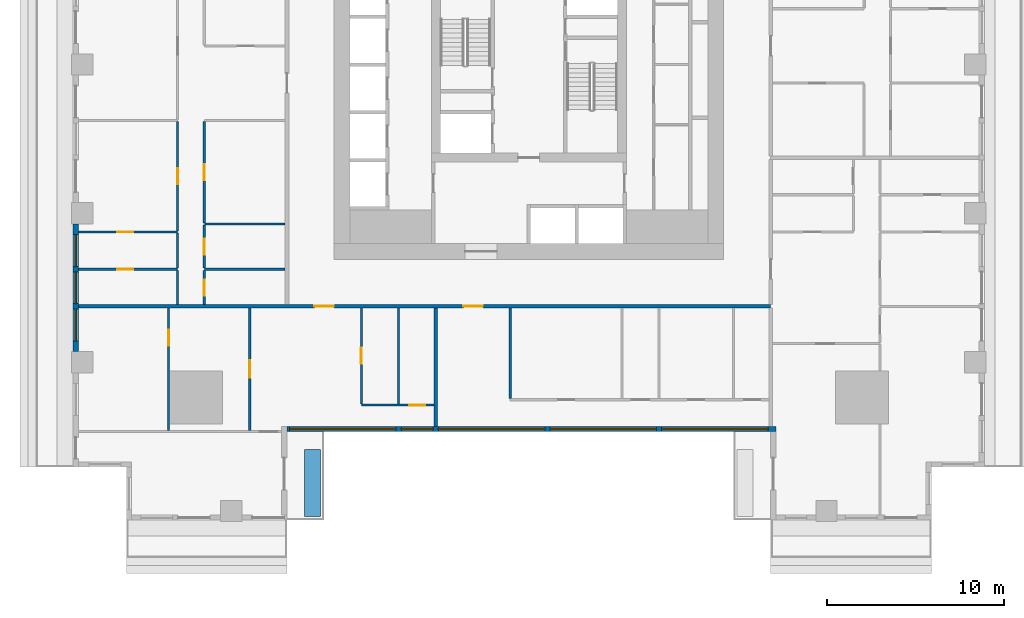
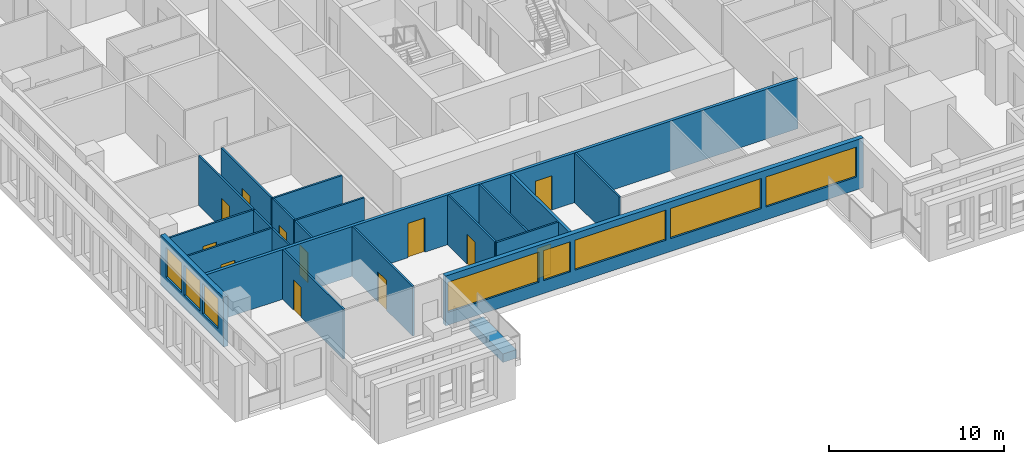
# One storey, part 2 of 14: 21 walls, 12 doors, 8 windows, 20 openings.
"""IFC4 building model written with IfcOpenShell, lengths in metres."""

from ifc_helpers import new_model, si_unit, direction, frame, frame_2d, origin, place, context, subcontext, project, spatial, rectangle, extrude, material, layer, layer_set, type_object, element, fill, save


model = new_model("IFC4")

# Units and contexts
model_context = context("Model", 3, precision=1e-05, world=origin(), true_north=direction((0.0, 1.0)))
body_context = subcontext(model_context, "Body", "Model", "MODEL_VIEW")
ifc_project = project(units=[si_unit("LENGTHUNIT", "METRE"), si_unit("AREAUNIT", "SQUARE_METRE"), si_unit("VOLUMEUNIT", "CUBIC_METRE"), si_unit("PLANEANGLEUNIT", "RADIAN"), si_unit("MASSUNIT", "GRAM", prefix="KILO")], contexts=[model_context])

# Site, building, storey
site_placement = place(None, origin())
site = spatial("IfcSite", under=ifc_project, at=site_placement, CompositionType="ELEMENT")
building_placement = place(site_placement, origin())
building = spatial("IfcBuilding", under=site, at=building_placement, Name="Khepri Terraces", CompositionType="ELEMENT")
storey_placement = place(building_placement, frame((0.0, 0.0, 66.0)))
storey = spatial("IfcBuildingStorey", under=building, at=storey_placement, Name="L15", CompositionType="ELEMENT", Elevation=66.0)

# Wall
ifc_material_1 = material(Name="Fire-rated gypsum plasterboard partition, mineral wool")
ifc_layer_1 = layer(ifc_material_1, 0.199951171875, Name="Fire-rated gypsum plasterboard partition, mineral wool")
ifc_layer_set_1 = layer_set([ifc_layer_1], Name="Fire-rated gypsum plasterboard partition, mineral wool")
wall_type_1 = type_object("IfcWallType", Name="WL-CORR-200", PredefinedType="PARTITIONING", material=ifc_layer_set_1)
wall_1_placement = place(storey_placement, frame((-5.25, -20.419921875, 0.0), z_axis=(0.0, 0.0, 1.0), x_axis=(0.0, 1.0, 0.0)))
element("IfcWall", 1, at=wall_1_placement, inside=storey, type_object=wall_type_1, Name="Partition P-003 L15", PredefinedType="PARTITIONING", context=body_context, shape_type="SweptSolid", body=[
    extrude(rectangle(XDim=6.669921875, YDim=0.199951171875, at=frame_2d((3.3349609375, 0.0))), origin(), (0.0, 0.0, 1.0), 3.47998046875),
])

# Wall, openings, doors
wall_2_placement = place(storey_placement, frame((-25.419921875, -13.64990234375, 0.0), z_axis=(0.0, 0.0, 1.0), x_axis=(1.0, 0.0, 0.0)))
wall_2 = element("IfcWall", 2, at=wall_2_placement, inside=storey, type_object=wall_type_1, Name="Partition P-018 L15", PredefinedType="PARTITIONING", context=body_context, shape_type="SweptSolid", body=[
    extrude(rectangle(XDim=39.06982421875, YDim=0.199951171875, at=frame_2d((19.534912109375, 0.0))), origin(), (0.0, 0.0, 1.0), 3.47998046875),
])
opening_1_placement = place(wall_2_placement, frame((13.320068359375, 0.0, 0.0)))
opening_1 = element("IfcOpeningElement", 3, at=opening_1_placement, cuts=wall_2, Name="Opening D1", PredefinedType="OPENING", context=body_context, shape_type="SweptSolid", body=[
    extrude(rectangle(XDim=1.10009765625, YDim=2.39990234375, at=frame_2d((0.550048828125, 1.199951171875))), frame((0.0, 0.10986328125, 0.0), z_axis=(0.0, -1.0, 0.0), x_axis=(1.0, 0.0, 0.0)), (0.0, 0.0, 1.0), 0.219970703125),
])
opening_2_placement = place(wall_2_placement, frame((21.719970703125, 0.0, 0.0)))
opening_2 = element("IfcOpeningElement", 4, at=opening_2_placement, cuts=wall_2, Name="Opening D1", PredefinedType="OPENING", context=body_context, shape_type="SweptSolid", body=[
    extrude(rectangle(XDim=1.10009765625, YDim=2.39990234375, at=frame_2d((0.550048828125, 1.199951171875))), frame((0.0, 0.10986328125, 0.0), z_axis=(0.0, -1.0, 0.0), x_axis=(1.0, 0.0, 0.0)), (0.0, 0.0, 1.0), 0.219970703125),
])
ifc_material_2 = material(Name="Solid-core timber door leaf, flat entrance door", Category="wood")
door_type_1 = type_object("IfcDoorType", Name="DR-ENT-1100", OperationType="NOTDEFINED", PredefinedType="DOOR", material=ifc_material_2)
door_1_placement = place(opening_1_placement, frame((1.10009765625, 0.0, 0.0), z_axis=(0.0, 0.0, 1.0), x_axis=(-1.0, 0.0, 0.0)))
door_1 = element("IfcDoor", 5, at=door_1_placement, inside=storey, type_object=door_type_1, Name="Flat A1 entrance door", OperationType="SINGLE_SWING_RIGHT", OverallHeight=2.39990234375, OverallWidth=1.10009765625, PredefinedType="DOOR", context=body_context, shape_type="SweptSolid", body=[
    extrude(rectangle(XDim=1.10009765625, YDim=2.39990234375, at=frame_2d((0.550048828125, 1.199951171875))), frame((0.0, 0.02490234375, 0.0), z_axis=(0.0, -1.0, 0.0), x_axis=(1.0, 0.0, 0.0)), (0.0, 0.0, 1.0), 0.050048828125),
])
fill(opening_1, door_1)
door_2_placement = place(opening_2_placement, frame((1.10009765625, 0.0, 0.0), z_axis=(0.0, 0.0, 1.0), x_axis=(-1.0, 0.0, 0.0)))
door_2 = element("IfcDoor", 6, at=door_2_placement, inside=storey, type_object=door_type_1, Name="Flat A2 entrance door", OperationType="SINGLE_SWING_LEFT", OverallHeight=2.39990234375, OverallWidth=1.10009765625, PredefinedType="DOOR", context=body_context, shape_type="SweptSolid", body=[
    extrude(rectangle(XDim=1.10009765625, YDim=2.39990234375, at=frame_2d((0.550048828125, 1.199951171875))), frame((0.0, 0.02490234375, 0.0), z_axis=(0.0, -1.0, 0.0), x_axis=(1.0, 0.0, 0.0)), (0.0, 0.0, 1.0), 0.050048828125),
])
fill(opening_2, door_2)

# Wall, openings, windows
ifc_material_3 = material(Name="Precast concrete C50/60 warm stone", Category="masonry")
ifc_layer_2 = layer(ifc_material_3, 0.300048828125, Name="Precast concrete C50/60 warm stone", Category="masonry")
ifc_layer_set_2 = layer_set([ifc_layer_2], Name="Precast concrete C50/60 warm stone")
wall_type_2 = type_object("IfcWallType", Name="WL-EXT-PRECAST-300", PredefinedType="STANDARD", material=ifc_layer_set_2)
wall_3_placement = place(storey_placement, frame((-25.570068359375, -9.0, 0.0), z_axis=(0.0, 0.0, 1.0), x_axis=(0.0, -1.0, 0.0)))
wall_3 = element("IfcWall", 7, at=wall_3_placement, inside=storey, type_object=wall_type_2, Name="External wall L15 W", PredefinedType="STANDARD", context=body_context, shape_type="SweptSolid", body=[
    extrude(rectangle(XDim=7.199951171875, YDim=0.300048828125, at=frame_2d((3.60009765625, 0.0))), origin(), (0.0, 0.0, 1.0), 3.47998046875),
])
opening_3_placement = place(wall_3_placement, frame((0.60009765625, 0.0, 0.89990234375)))
opening_3 = element("IfcOpeningElement", 8, at=opening_3_placement, cuts=wall_3, Name="Opening W1", PredefinedType="OPENING", context=body_context, shape_type="SweptSolid", body=[
    extrude(rectangle(XDim=1.800048828125, YDim=2.10009765625, at=frame_2d((0.89990234375, 1.050048828125))), frame((0.0, 0.16015625, 0.0), z_axis=(0.0, -1.0, 0.0), x_axis=(1.0, 0.0, 0.0)), (0.0, 0.0, 1.0), 0.320068359375),
])
opening_4_placement = place(wall_3_placement, frame((2.699951171875, 0.0, 0.89990234375)))
opening_4 = element("IfcOpeningElement", 9, at=opening_4_placement, cuts=wall_3, Name="Opening W1", PredefinedType="OPENING", context=body_context, shape_type="SweptSolid", body=[
    extrude(rectangle(XDim=1.800048828125, YDim=2.10009765625, at=frame_2d((0.89990234375, 1.050048828125))), frame((0.0, 0.16015625, 0.0), z_axis=(0.0, -1.0, 0.0), x_axis=(1.0, 0.0, 0.0)), (0.0, 0.0, 1.0), 0.320068359375),
])
opening_5_placement = place(wall_3_placement, frame((4.800048828125, 0.0, 0.89990234375)))
opening_5 = element("IfcOpeningElement", 10, at=opening_5_placement, cuts=wall_3, Name="Opening W1", PredefinedType="OPENING", context=body_context, shape_type="SweptSolid", body=[
    extrude(rectangle(XDim=1.800048828125, YDim=2.10009765625, at=frame_2d((0.89990234375, 1.050048828125))), frame((0.0, 0.16015625, 0.0), z_axis=(0.0, -1.0, 0.0), x_axis=(1.0, 0.0, 0.0)), (0.0, 0.0, 1.0), 0.320068359375),
])
ifc_material_4 = material(Name="Clear glass", Category="glass")
window_type_1 = type_object("IfcWindowType", Name="WIN-RES-1800x2100", PartitioningType="SINGLE_PANEL", PredefinedType="WINDOW", material=ifc_material_4)
window_1_placement = place(opening_3_placement, origin())
window_1 = element("IfcWindow", 11, at=window_1_placement, inside=storey, type_object=window_type_1, Name="Window L15 W", OverallHeight=2.10009765625, OverallWidth=1.800048828125, PartitioningType="SINGLE_PANEL", PredefinedType="WINDOW", context=body_context, shape_type="SweptSolid", body=[
    extrude(rectangle(XDim=1.800048828125, YDim=2.10009765625, at=frame_2d((0.89990234375, 1.050048828125))), frame((0.0, 0.030029296875, 0.0), z_axis=(0.0, -1.0, 0.0), x_axis=(1.0, 0.0, 0.0)), (0.0, 0.0, 1.0), 0.06005859375),
])
fill(opening_3, window_1)
window_2_placement = place(opening_4_placement, origin())
window_2 = element("IfcWindow", 12, at=window_2_placement, inside=storey, type_object=window_type_1, Name="Window L15 W", OverallHeight=2.10009765625, OverallWidth=1.800048828125, PartitioningType="SINGLE_PANEL", PredefinedType="WINDOW", context=body_context, shape_type="SweptSolid", body=[
    extrude(rectangle(XDim=1.800048828125, YDim=2.10009765625, at=frame_2d((0.89990234375, 1.050048828125))), frame((0.0, 0.030029296875, 0.0), z_axis=(0.0, -1.0, 0.0), x_axis=(1.0, 0.0, 0.0)), (0.0, 0.0, 1.0), 0.06005859375),
])
fill(opening_4, window_2)
window_3_placement = place(opening_5_placement, origin())
window_3 = element("IfcWindow", 13, at=window_3_placement, inside=storey, type_object=window_type_1, Name="Window L15 W", OverallHeight=2.10009765625, OverallWidth=1.800048828125, PartitioningType="SINGLE_PANEL", PredefinedType="WINDOW", context=body_context, shape_type="SweptSolid", body=[
    extrude(rectangle(XDim=1.800048828125, YDim=2.10009765625, at=frame_2d((0.89990234375, 1.050048828125))), frame((0.0, 0.030029296875, 0.0), z_axis=(0.0, -1.0, 0.0), x_axis=(1.0, 0.0, 0.0)), (0.0, 0.0, 1.0), 0.06005859375),
])
fill(opening_5, window_3)

wall_4_placement = place(storey_placement, frame((-13.64990234375, -20.570068359375, 0.0), z_axis=(0.0, 0.0, 1.0), x_axis=(1.0, 0.0, 0.0)))
wall_4 = element("IfcWall", 14, at=wall_4_placement, inside=storey, type_object=wall_type_2, Name="External wall L15 S", PredefinedType="STANDARD", context=body_context, shape_type="SweptSolid", body=[
    extrude(rectangle(XDim=27.599853515625, YDim=0.300048828125, at=frame_2d((13.7998046875, 0.0))), origin(), (0.0, 0.0, 1.0), 3.47998046875),
])
opening_6_placement = place(wall_4_placement, frame((0.14990234375, 0.0, 0.89990234375)))
opening_6 = element("IfcOpeningElement", 15, at=opening_6_placement, cuts=wall_4, Name="Opening W3", PredefinedType="OPENING", context=body_context, shape_type="SweptSolid", body=[
    extrude(rectangle(XDim=6.0, YDim=2.10009765625, at=frame_2d((3.0, 1.050048828125))), frame((0.0, 0.16015625, 0.0), z_axis=(0.0, -1.0, 0.0), x_axis=(1.0, 0.0, 0.0)), (0.0, 0.0, 1.0), 0.320068359375),
])
opening_7_placement = place(wall_4_placement, frame((6.449951171875, 0.0, 0.89990234375)))
opening_7 = element("IfcOpeningElement", 16, at=opening_7_placement, cuts=wall_4, Name="Opening W1", PredefinedType="OPENING", context=body_context, shape_type="SweptSolid", body=[
    extrude(rectangle(XDim=1.800048828125, YDim=2.10009765625, at=frame_2d((0.89990234375, 1.050048828125))), frame((0.0, 0.16015625, 0.0), z_axis=(0.0, -1.0, 0.0), x_axis=(1.0, 0.0, 0.0)), (0.0, 0.0, 1.0), 0.320068359375),
])
opening_8_placement = place(wall_4_placement, frame((8.550048828125, 0.0, 0.89990234375)))
opening_8 = element("IfcOpeningElement", 17, at=opening_8_placement, cuts=wall_4, Name="Opening W3", PredefinedType="OPENING", context=body_context, shape_type="SweptSolid", body=[
    extrude(rectangle(XDim=6.0, YDim=2.10009765625, at=frame_2d((3.0, 1.050048828125))), frame((0.0, 0.16015625, 0.0), z_axis=(0.0, -1.0, 0.0), x_axis=(1.0, 0.0, 0.0)), (0.0, 0.0, 1.0), 0.320068359375),
])
opening_9_placement = place(wall_4_placement, frame((14.85009765625, 0.0, 0.89990234375)))
opening_9 = element("IfcOpeningElement", 18, at=opening_9_placement, cuts=wall_4, Name="Opening W3", PredefinedType="OPENING", context=body_context, shape_type="SweptSolid", body=[
    extrude(rectangle(XDim=6.0, YDim=2.10009765625, at=frame_2d((3.0, 1.050048828125))), frame((0.0, 0.16015625, 0.0), z_axis=(0.0, -1.0, 0.0), x_axis=(1.0, 0.0, 0.0)), (0.0, 0.0, 1.0), 0.320068359375),
])
opening_10_placement = place(wall_4_placement, frame((21.14990234375, 0.0, 0.89990234375)))
opening_10 = element("IfcOpeningElement", 19, at=opening_10_placement, cuts=wall_4, Name="Opening W3", PredefinedType="OPENING", context=body_context, shape_type="SweptSolid", body=[
    extrude(rectangle(XDim=6.0, YDim=2.10009765625, at=frame_2d((3.0, 1.050048828125))), frame((0.0, 0.16015625, 0.0), z_axis=(0.0, -1.0, 0.0), x_axis=(1.0, 0.0, 0.0)), (0.0, 0.0, 1.0), 0.320068359375),
])
window_4_placement = place(opening_7_placement, origin())
window_4 = element("IfcWindow", 20, at=window_4_placement, inside=storey, type_object=window_type_1, Name="Window L15 S", OverallHeight=2.10009765625, OverallWidth=1.800048828125, PartitioningType="SINGLE_PANEL", PredefinedType="WINDOW", context=body_context, shape_type="SweptSolid", body=[
    extrude(rectangle(XDim=1.800048828125, YDim=2.10009765625, at=frame_2d((0.89990234375, 1.050048828125))), frame((0.0, 0.030029296875, 0.0), z_axis=(0.0, -1.0, 0.0), x_axis=(1.0, 0.0, 0.0)), (0.0, 0.0, 1.0), 0.06005859375),
])
fill(opening_7, window_4)
window_type_2 = type_object("IfcWindowType", Name="WIN-RES-6000x2100", PartitioningType="SINGLE_PANEL", PredefinedType="WINDOW", material=ifc_material_4)
window_5_placement = place(opening_6_placement, origin())
window_5 = element("IfcWindow", 21, at=window_5_placement, inside=storey, type_object=window_type_2, Name="Window L15 S", OverallHeight=2.10009765625, OverallWidth=6.0, PartitioningType="SINGLE_PANEL", PredefinedType="WINDOW", context=body_context, shape_type="SweptSolid", body=[
    extrude(rectangle(XDim=6.0, YDim=2.10009765625, at=frame_2d((3.0, 1.050048828125))), frame((0.0, 0.030029296875, 0.0), z_axis=(0.0, -1.0, 0.0), x_axis=(1.0, 0.0, 0.0)), (0.0, 0.0, 1.0), 0.06005859375),
])
fill(opening_6, window_5)
window_6_placement = place(opening_8_placement, origin())
window_6 = element("IfcWindow", 22, at=window_6_placement, inside=storey, type_object=window_type_2, Name="Window L15 S", OverallHeight=2.10009765625, OverallWidth=6.0, PartitioningType="SINGLE_PANEL", PredefinedType="WINDOW", context=body_context, shape_type="SweptSolid", body=[
    extrude(rectangle(XDim=6.0, YDim=2.10009765625, at=frame_2d((3.0, 1.050048828125))), frame((0.0, 0.030029296875, 0.0), z_axis=(0.0, -1.0, 0.0), x_axis=(1.0, 0.0, 0.0)), (0.0, 0.0, 1.0), 0.06005859375),
])
fill(opening_8, window_6)
window_7_placement = place(opening_9_placement, origin())
window_7 = element("IfcWindow", 23, at=window_7_placement, inside=storey, type_object=window_type_2, Name="Window L15 S", OverallHeight=2.10009765625, OverallWidth=6.0, PartitioningType="SINGLE_PANEL", PredefinedType="WINDOW", context=body_context, shape_type="SweptSolid", body=[
    extrude(rectangle(XDim=6.0, YDim=2.10009765625, at=frame_2d((3.0, 1.050048828125))), frame((0.0, 0.030029296875, 0.0), z_axis=(0.0, -1.0, 0.0), x_axis=(1.0, 0.0, 0.0)), (0.0, 0.0, 1.0), 0.06005859375),
])
fill(opening_9, window_7)
window_8_placement = place(opening_10_placement, origin())
window_8 = element("IfcWindow", 24, at=window_8_placement, inside=storey, type_object=window_type_2, Name="Window L15 S", OverallHeight=2.10009765625, OverallWidth=6.0, PartitioningType="SINGLE_PANEL", PredefinedType="WINDOW", context=body_context, shape_type="SweptSolid", body=[
    extrude(rectangle(XDim=6.0, YDim=2.10009765625, at=frame_2d((3.0, 1.050048828125))), frame((0.0, 0.030029296875, 0.0), z_axis=(0.0, -1.0, 0.0), x_axis=(1.0, 0.0, 0.0)), (0.0, 0.0, 1.0), 0.06005859375),
])
fill(opening_10, window_8)

# Wall, opening, door
ifc_material_5 = material(Name="Gypsum plasterboard partition")
ifc_layer_3 = layer(ifc_material_5, 0.1201171875, Name="Gypsum plasterboard partition")
ifc_layer_set_3 = layer_set([ifc_layer_3], Name="Gypsum plasterboard partition")
wall_type_3 = type_object("IfcWallType", Name="WL-PART-120", PredefinedType="PARTITIONING", material=ifc_layer_set_3)
wall_5_placement = place(storey_placement, frame((-20.333984375, -20.659912109375, 0.0), z_axis=(0.0, 0.0, 1.0), x_axis=(0.0, 1.0, 0.0)))
wall_5 = element("IfcWall", 25, at=wall_5_placement, inside=storey, type_object=wall_type_3, Name="Partition P-005 L15", PredefinedType="PARTITIONING", context=body_context, shape_type="SweptSolid", body=[
    extrude(rectangle(XDim=6.909912109375, YDim=0.1201171875, at=frame_2d((3.455078125, 0.0))), origin(), (0.0, 0.0, 1.0), 3.47998046875),
])
opening_11_placement = place(wall_5_placement, frame((4.79248046875, 0.0, 0.0)))
opening_11 = element("IfcOpeningElement", 26, at=opening_11_placement, cuts=wall_5, Name="Opening D3", PredefinedType="OPENING", context=body_context, shape_type="SweptSolid", body=[
    extrude(rectangle(XDim=0.89990234375, YDim=2.10009765625, at=frame_2d((0.449951171875, 1.050048828125))), frame((0.0, 0.070068359375, 0.0), z_axis=(0.0, -1.0, 0.0), x_axis=(1.0, 0.0, 0.0)), (0.0, 0.0, 1.0), 0.14013671875),
])
ifc_material_6 = material(Name="Timber door leaf", Category="wood")
door_type_2 = type_object("IfcDoorType", Name="DR-INT-900", OperationType="NOTDEFINED", PredefinedType="DOOR", material=ifc_material_6)
door_3_placement = place(opening_11_placement, origin())
door_3 = element("IfcDoor", 27, at=door_3_placement, inside=storey, type_object=door_type_2, Name="Door Staff Bedroom", OperationType="SINGLE_SWING_RIGHT", OverallHeight=2.10009765625, OverallWidth=0.89990234375, PredefinedType="DOOR", context=body_context, shape_type="SweptSolid", body=[
    extrude(rectangle(XDim=0.89990234375, YDim=2.10009765625, at=frame_2d((0.449951171875, 1.050048828125))), frame((0.0, 0.02490234375, 0.0), z_axis=(0.0, -1.0, 0.0), x_axis=(1.0, 0.0, 0.0)), (0.0, 0.0, 1.0), 0.050048828125),
])
fill(opening_11, door_3)

wall_6_placement = place(storey_placement, frame((-15.75, -20.659912109375, 0.0), z_axis=(0.0, 0.0, 1.0), x_axis=(0.0, 1.0, 0.0)))
wall_6 = element("IfcWall", 28, at=wall_6_placement, inside=storey, type_object=wall_type_3, Name="Partition P-006 L15", PredefinedType="PARTITIONING", context=body_context, shape_type="SweptSolid", body=[
    extrude(rectangle(XDim=6.909912109375, YDim=0.1201171875, at=frame_2d((3.455078125, 0.0))), origin(), (0.0, 0.0, 1.0), 3.47998046875),
])
opening_12_placement = place(wall_6_placement, frame((2.97509765625, 0.0, 0.0)))
opening_12 = element("IfcOpeningElement", 29, at=opening_12_placement, cuts=wall_6, Name="Opening D2", PredefinedType="OPENING", context=body_context, shape_type="SweptSolid", body=[
    extrude(rectangle(XDim=1.0, YDim=2.10009765625, at=frame_2d((0.5, 1.050048828125))), frame((0.0, 0.070068359375, 0.0), z_axis=(0.0, -1.0, 0.0), x_axis=(1.0, 0.0, 0.0)), (0.0, 0.0, 1.0), 0.14013671875),
])
ifc_material_7 = material(Name="Timber door leaf, living room door", Category="wood")
door_type_3 = type_object("IfcDoorType", Name="DR-INT-1000", OperationType="NOTDEFINED", PredefinedType="DOOR", material=ifc_material_7)
door_4_placement = place(opening_12_placement, origin())
door_4 = element("IfcDoor", 30, at=door_4_placement, inside=storey, type_object=door_type_3, Name="Door Family Room", OperationType="SINGLE_SWING_RIGHT", OverallHeight=2.10009765625, OverallWidth=1.0, PredefinedType="DOOR", context=body_context, shape_type="SweptSolid", body=[
    extrude(rectangle(XDim=1.0, YDim=2.10009765625, at=frame_2d((0.5, 1.050048828125))), frame((0.0, 0.02490234375, 0.0), z_axis=(0.0, -1.0, 0.0), x_axis=(1.0, 0.0, 0.0)), (0.0, 0.0, 1.0), 0.050048828125),
])
fill(opening_12, door_4)

wall_7_placement = place(storey_placement, frame((-9.449951171875, -19.219970703125, 0.0), z_axis=(0.0, 0.0, 1.0), x_axis=(1.0, 0.0, 0.0)))
wall_7 = element("IfcWall", 31, at=wall_7_placement, inside=storey, type_object=wall_type_3, Name="Partition P-007 L15", PredefinedType="PARTITIONING", context=body_context, shape_type="SweptSolid", body=[
    extrude(rectangle(XDim=4.099853515625, YDim=0.1201171875, at=frame_2d((2.0498046875, 0.0))), origin(), (0.0, 0.0, 1.0), 3.47998046875),
])
opening_13_placement = place(wall_7_placement, frame((2.699951171875, 0.0, 0.0)))
opening_13 = element("IfcOpeningElement", 32, at=opening_13_placement, cuts=wall_7, Name="Opening D3", PredefinedType="OPENING", context=body_context, shape_type="SweptSolid", body=[
    extrude(rectangle(XDim=0.89990234375, YDim=2.10009765625, at=frame_2d((0.449951171875, 1.050048828125))), frame((0.0, 0.070068359375, 0.0), z_axis=(0.0, -1.0, 0.0), x_axis=(1.0, 0.0, 0.0)), (0.0, 0.0, 1.0), 0.14013671875),
])
door_5_placement = place(opening_13_placement, origin())
door_5 = element("IfcDoor", 33, at=door_5_placement, inside=storey, type_object=door_type_2, Name="Door Kitchen", OperationType="SINGLE_SWING_RIGHT", OverallHeight=2.10009765625, OverallWidth=0.89990234375, PredefinedType="DOOR", context=body_context, shape_type="SweptSolid", body=[
    extrude(rectangle(XDim=0.89990234375, YDim=2.10009765625, at=frame_2d((0.449951171875, 1.050048828125))), frame((0.0, 0.02490234375, 0.0), z_axis=(0.0, -1.0, 0.0), x_axis=(1.0, 0.0, 0.0)), (0.0, 0.0, 1.0), 0.050048828125),
])
fill(opening_13, door_5)

wall_8_placement = place(storey_placement, frame((-9.449951171875, -19.159912109375, 0.0), z_axis=(0.0, 0.0, 1.0), x_axis=(0.0, 1.0, 0.0)))
wall_8 = element("IfcWall", 34, at=wall_8_placement, inside=storey, type_object=wall_type_3, Name="Partition P-008 L15", PredefinedType="PARTITIONING", context=body_context, shape_type="SweptSolid", body=[
    extrude(rectangle(XDim=5.409912109375, YDim=0.1201171875, at=frame_2d((2.705078125, 0.0))), origin(), (0.0, 0.0, 1.0), 3.47998046875),
])
opening_14_placement = place(wall_8_placement, frame((2.27490234375, 0.0, 0.0)))
opening_14 = element("IfcOpeningElement", 35, at=opening_14_placement, cuts=wall_8, Name="Opening D4", PredefinedType="OPENING", context=body_context, shape_type="SweptSolid", body=[
    extrude(rectangle(XDim=0.89990234375, YDim=2.10009765625, at=frame_2d((0.449951171875, 1.050048828125))), frame((0.0, 0.070068359375, 0.0), z_axis=(0.0, -1.0, 0.0), x_axis=(1.0, 0.0, 0.0)), (0.0, 0.0, 1.0), 0.14013671875),
])
ifc_material_8 = material(Name="Timber door leaf, moisture resistant", Category="wood")
door_type_4 = type_object("IfcDoorType", Name="DR-WET-900", OperationType="NOTDEFINED", PredefinedType="DOOR", material=ifc_material_8)
door_6_placement = place(opening_14_placement, frame((0.89990234375, 0.0, 0.0), z_axis=(0.0, 0.0, 1.0), x_axis=(-1.0, 0.0, 0.0)))
door_6 = element("IfcDoor", 36, at=door_6_placement, inside=storey, type_object=door_type_4, Name="Door Guest Bathroom", OperationType="SINGLE_SWING_LEFT", OverallHeight=2.10009765625, OverallWidth=0.89990234375, PredefinedType="DOOR", context=body_context, shape_type="SweptSolid", body=[
    extrude(rectangle(XDim=0.89990234375, YDim=2.10009765625, at=frame_2d((0.449951171875, 1.050048828125))), frame((0.0, 0.02490234375, 0.0), z_axis=(0.0, -1.0, 0.0), x_axis=(1.0, 0.0, 0.0)), (0.0, 0.0, 1.0), 0.050048828125),
])
fill(opening_14, door_6)

# Walls
wall_9_placement = place(storey_placement, frame((-7.35009765625, -19.159912109375, 0.0), z_axis=(0.0, 0.0, 1.0), x_axis=(0.0, 1.0, 0.0)))
element("IfcWall", 37, at=wall_9_placement, inside=storey, type_object=wall_type_3, Name="Partition P-009 L15", PredefinedType="PARTITIONING", context=body_context, shape_type="SweptSolid", body=[
    extrude(rectangle(XDim=5.409912109375, YDim=0.1201171875, at=frame_2d((2.705078125, 0.0))), origin(), (0.0, 0.0, 1.0), 3.47998046875),
])
wall_10_placement = place(storey_placement, frame((-1.050048828125, -18.860107421875, 0.0), z_axis=(0.0, 0.0, 1.0), x_axis=(0.0, 1.0, 0.0)))
element("IfcWall", 38, at=wall_10_placement, inside=storey, type_object=wall_type_3, Name="Partition P-011 L15", PredefinedType="PARTITIONING", context=body_context, shape_type="SweptSolid", body=[
    extrude(rectangle(XDim=5.110107421875, YDim=0.1201171875, at=frame_2d((2.55517578125, 0.0))), origin(), (0.0, 0.0, 1.0), 3.47998046875),
])
wall_11_placement = place(storey_placement, frame((-19.820068359375, -13.550048828125, 0.0), z_axis=(0.0, 0.0, 1.0), x_axis=(0.0, 1.0, 0.0)))
element("IfcWall", 39, at=wall_11_placement, inside=storey, type_object=wall_type_3, Name="Partition P-021 L15", PredefinedType="PARTITIONING", context=body_context, shape_type="SweptSolid", body=[
    extrude(rectangle(XDim=1.93994140625, YDim=0.1201171875, at=frame_2d((0.969970703125, 0.0))), origin(), (0.0, 0.0, 1.0), 3.47998046875),
])

# Wall, opening, door
wall_12_placement = place(storey_placement, frame((-18.320068359375, -13.550048828125, 0.0), z_axis=(0.0, 0.0, 1.0), x_axis=(0.0, 1.0, 0.0)))
wall_12 = element("IfcWall", 40, at=wall_12_placement, inside=storey, type_object=wall_type_3, Name="Partition P-022 L15", PredefinedType="PARTITIONING", context=body_context, shape_type="SweptSolid", body=[
    extrude(rectangle(XDim=1.93994140625, YDim=0.1201171875, at=frame_2d((0.969970703125, 0.0))), origin(), (0.0, 0.0, 1.0), 3.47998046875),
])
opening_15_placement = place(wall_12_placement, frame((0.5, 0.0, 0.0)))
opening_15 = element("IfcOpeningElement", 41, at=opening_15_placement, cuts=wall_12, Name="Opening D3", PredefinedType="OPENING", context=body_context, shape_type="SweptSolid", body=[
    extrude(rectangle(XDim=0.89990234375, YDim=2.10009765625, at=frame_2d((0.449951171875, 1.050048828125))), frame((0.0, 0.070068359375, 0.0), z_axis=(0.0, -1.0, 0.0), x_axis=(1.0, 0.0, 0.0)), (0.0, 0.0, 1.0), 0.14013671875),
])
door_7_placement = place(opening_15_placement, frame((0.89990234375, 0.0, 0.0), z_axis=(0.0, 0.0, 1.0), x_axis=(-1.0, 0.0, 0.0)))
door_7 = element("IfcDoor", 42, at=door_7_placement, inside=storey, type_object=door_type_2, Name="Door Utility Room", OperationType="SINGLE_SWING_RIGHT", OverallHeight=2.10009765625, OverallWidth=0.89990234375, PredefinedType="DOOR", context=body_context, shape_type="SweptSolid", body=[
    extrude(rectangle(XDim=0.89990234375, YDim=2.10009765625, at=frame_2d((0.449951171875, 1.050048828125))), frame((0.0, 0.02490234375, 0.0), z_axis=(0.0, -1.0, 0.0), x_axis=(1.0, 0.0, 0.0)), (0.0, 0.0, 1.0), 0.050048828125),
])
fill(opening_15, door_7)

wall_13_placement = place(storey_placement, frame((-25.419921875, -11.550048828125, 0.0), z_axis=(0.0, 0.0, 1.0), x_axis=(1.0, 0.0, 0.0)))
wall_13 = element("IfcWall", 43, at=wall_13_placement, inside=storey, type_object=wall_type_3, Name="Partition P-025 L15", PredefinedType="PARTITIONING", context=body_context, shape_type="SweptSolid", body=[
    extrude(rectangle(XDim=5.599853515625, YDim=0.1201171875, at=frame_2d((2.7998046875, 0.0))), origin(), (0.0, 0.0, 1.0), 3.47998046875),
])
opening_16_placement = place(wall_13_placement, frame((2.199951171875, 0.0, 0.0)))
opening_16 = element("IfcOpeningElement", 44, at=opening_16_placement, cuts=wall_13, Name="Opening D4", PredefinedType="OPENING", context=body_context, shape_type="SweptSolid", body=[
    extrude(rectangle(XDim=0.89990234375, YDim=2.10009765625, at=frame_2d((0.449951171875, 1.050048828125))), frame((0.0, 0.070068359375, 0.0), z_axis=(0.0, -1.0, 0.0), x_axis=(1.0, 0.0, 0.0)), (0.0, 0.0, 1.0), 0.14013671875),
])
door_8_placement = place(opening_16_placement, frame((0.89990234375, 0.0, 0.0), z_axis=(0.0, 0.0, 1.0), x_axis=(-1.0, 0.0, 0.0)))
door_8 = element("IfcDoor", 45, at=door_8_placement, inside=storey, type_object=door_type_4, Name="Door Bathroom", OperationType="SINGLE_SWING_RIGHT", OverallHeight=2.10009765625, OverallWidth=0.89990234375, PredefinedType="DOOR", context=body_context, shape_type="SweptSolid", body=[
    extrude(rectangle(XDim=0.89990234375, YDim=2.10009765625, at=frame_2d((0.449951171875, 1.050048828125))), frame((0.0, 0.02490234375, 0.0), z_axis=(0.0, -1.0, 0.0), x_axis=(1.0, 0.0, 0.0)), (0.0, 0.0, 1.0), 0.050048828125),
])
fill(opening_16, door_8)

# Walls
wall_14_placement = place(storey_placement, frame((-18.320068359375, -11.550048828125, 0.0), z_axis=(0.0, 0.0, 1.0), x_axis=(1.0, 0.0, 0.0)))
element("IfcWall", 46, at=wall_14_placement, inside=storey, type_object=wall_type_3, Name="Partition P-026 L15", PredefinedType="PARTITIONING", context=body_context, shape_type="SweptSolid", body=[
    extrude(rectangle(XDim=4.570068359375, YDim=0.1201171875, at=frame_2d((2.28515625, 0.0))), origin(), (0.0, 0.0, 1.0), 3.47998046875),
])
wall_15_placement = place(storey_placement, frame((-19.820068359375, -11.489990234375, 0.0), z_axis=(0.0, 0.0, 1.0), x_axis=(0.0, 1.0, 0.0)))
element("IfcWall", 47, at=wall_15_placement, inside=storey, type_object=wall_type_3, Name="Partition P-027 L15", PredefinedType="PARTITIONING", context=body_context, shape_type="SweptSolid", body=[
    extrude(rectangle(XDim=1.97998046875, YDim=0.1201171875, at=frame_2d((0.989990234375, 0.0))), origin(), (0.0, 0.0, 1.0), 3.47998046875),
])

# Wall, opening, door
wall_16_placement = place(storey_placement, frame((-18.320068359375, -11.489990234375, 0.0), z_axis=(0.0, 0.0, 1.0), x_axis=(0.0, 1.0, 0.0)))
wall_16 = element("IfcWall", 48, at=wall_16_placement, inside=storey, type_object=wall_type_3, Name="Partition P-028 L15", PredefinedType="PARTITIONING", context=body_context, shape_type="SweptSolid", body=[
    extrude(rectangle(XDim=2.429931640625, YDim=0.1201171875, at=frame_2d((1.21484375, 0.0))), origin(), (0.0, 0.0, 1.0), 3.47998046875),
])
opening_17_placement = place(wall_16_placement, frame((0.764892578125, 0.0, 0.0)))
opening_17 = element("IfcOpeningElement", 49, at=opening_17_placement, cuts=wall_16, Name="Opening D4", PredefinedType="OPENING", context=body_context, shape_type="SweptSolid", body=[
    extrude(rectangle(XDim=0.89990234375, YDim=2.10009765625, at=frame_2d((0.449951171875, 1.050048828125))), frame((0.0, 0.070068359375, 0.0), z_axis=(0.0, -1.0, 0.0), x_axis=(1.0, 0.0, 0.0)), (0.0, 0.0, 1.0), 0.14013671875),
])
door_9_placement = place(opening_17_placement, frame((0.89990234375, 0.0, 0.0), z_axis=(0.0, 0.0, 1.0), x_axis=(-1.0, 0.0, 0.0)))
door_9 = element("IfcDoor", 50, at=door_9_placement, inside=storey, type_object=door_type_4, Name="Door Guest Bathroom", OperationType="SINGLE_SWING_LEFT", OverallHeight=2.10009765625, OverallWidth=0.89990234375, PredefinedType="DOOR", context=body_context, shape_type="SweptSolid", body=[
    extrude(rectangle(XDim=0.89990234375, YDim=2.10009765625, at=frame_2d((0.449951171875, 1.050048828125))), frame((0.0, 0.02490234375, 0.0), z_axis=(0.0, -1.0, 0.0), x_axis=(1.0, 0.0, 0.0)), (0.0, 0.0, 1.0), 0.050048828125),
])
fill(opening_17, door_9)

wall_17_placement = place(storey_placement, frame((-25.419921875, -9.449951171875, 0.0), z_axis=(0.0, 0.0, 1.0), x_axis=(1.0, 0.0, 0.0)))
wall_17 = element("IfcWall", 51, at=wall_17_placement, inside=storey, type_object=wall_type_3, Name="Partition P-029 L15", PredefinedType="PARTITIONING", context=body_context, shape_type="SweptSolid", body=[
    extrude(rectangle(XDim=5.599853515625, YDim=0.1201171875, at=frame_2d((2.7998046875, 0.0))), origin(), (0.0, 0.0, 1.0), 3.47998046875),
])
opening_18_placement = place(wall_17_placement, frame((2.199951171875, 0.0, 0.0)))
opening_18 = element("IfcOpeningElement", 52, at=opening_18_placement, cuts=wall_17, Name="Opening D3", PredefinedType="OPENING", context=body_context, shape_type="SweptSolid", body=[
    extrude(rectangle(XDim=0.89990234375, YDim=2.10009765625, at=frame_2d((0.449951171875, 1.050048828125))), frame((0.0, 0.070068359375, 0.0), z_axis=(0.0, -1.0, 0.0), x_axis=(1.0, 0.0, 0.0)), (0.0, 0.0, 1.0), 0.14013671875),
])
door_10_placement = place(opening_18_placement, frame((0.89990234375, 0.0, 0.0), z_axis=(0.0, 0.0, 1.0), x_axis=(-1.0, 0.0, 0.0)))
door_10 = element("IfcDoor", 53, at=door_10_placement, inside=storey, type_object=door_type_2, Name="Door Dressing Room", OperationType="SINGLE_SWING_RIGHT", OverallHeight=2.10009765625, OverallWidth=0.89990234375, PredefinedType="DOOR", context=body_context, shape_type="SweptSolid", body=[
    extrude(rectangle(XDim=0.89990234375, YDim=2.10009765625, at=frame_2d((0.449951171875, 1.050048828125))), frame((0.0, 0.02490234375, 0.0), z_axis=(0.0, -1.0, 0.0), x_axis=(1.0, 0.0, 0.0)), (0.0, 0.0, 1.0), 0.050048828125),
])
fill(opening_18, door_10)

wall_18_placement = place(storey_placement, frame((-19.820068359375, -9.389892578125, 0.0), z_axis=(0.0, 0.0, 1.0), x_axis=(0.0, 1.0, 0.0)))
wall_18 = element("IfcWall", 54, at=wall_18_placement, inside=storey, type_object=wall_type_3, Name="Partition P-032 L15", PredefinedType="PARTITIONING", context=body_context, shape_type="SweptSolid", body=[
    extrude(rectangle(XDim=6.179931640625, YDim=0.1201171875, at=frame_2d((3.08984375, 0.0))), origin(), (0.0, 0.0, 1.0), 3.47998046875),
])
opening_19_placement = place(wall_18_placement, frame((2.639892578125, 0.0, 0.0)))
opening_19 = element("IfcOpeningElement", 55, at=opening_19_placement, cuts=wall_18, Name="Opening D3", PredefinedType="OPENING", context=body_context, shape_type="SweptSolid", body=[
    extrude(rectangle(XDim=0.89990234375, YDim=2.10009765625, at=frame_2d((0.449951171875, 1.050048828125))), frame((0.0, 0.070068359375, 0.0), z_axis=(0.0, -1.0, 0.0), x_axis=(1.0, 0.0, 0.0)), (0.0, 0.0, 1.0), 0.14013671875),
])
door_11_placement = place(opening_19_placement, origin())
door_11 = element("IfcDoor", 56, at=door_11_placement, inside=storey, type_object=door_type_2, Name="Door Master Bedroom", OperationType="SINGLE_SWING_RIGHT", OverallHeight=2.10009765625, OverallWidth=0.89990234375, PredefinedType="DOOR", context=body_context, shape_type="SweptSolid", body=[
    extrude(rectangle(XDim=0.89990234375, YDim=2.10009765625, at=frame_2d((0.449951171875, 1.050048828125))), frame((0.0, 0.02490234375, 0.0), z_axis=(0.0, -1.0, 0.0), x_axis=(1.0, 0.0, 0.0)), (0.0, 0.0, 1.0), 0.050048828125),
])
fill(opening_19, door_11)

# Wall
wall_19_placement = place(storey_placement, frame((-18.320068359375, -9.0, 0.0), z_axis=(0.0, 0.0, 1.0), x_axis=(1.0, 0.0, 0.0)))
element("IfcWall", 57, at=wall_19_placement, inside=storey, type_object=wall_type_3, Name="Partition P-035 L15", PredefinedType="PARTITIONING", context=body_context, shape_type="SweptSolid", body=[
    extrude(rectangle(XDim=4.570068359375, YDim=0.1201171875, at=frame_2d((2.28515625, 0.0))), origin(), (0.0, 0.0, 1.0), 3.47998046875),
])

# Wall, opening, door
wall_20_placement = place(storey_placement, frame((-18.320068359375, -8.93994140625, 0.0), z_axis=(0.0, 0.0, 1.0), x_axis=(0.0, 1.0, 0.0)))
wall_20 = element("IfcWall", 58, at=wall_20_placement, inside=storey, type_object=wall_type_3, Name="Partition P-036 L15", PredefinedType="PARTITIONING", context=body_context, shape_type="SweptSolid", body=[
    extrude(rectangle(XDim=5.72998046875, YDim=0.1201171875, at=frame_2d((2.864990234375, 0.0))), origin(), (0.0, 0.0, 1.0), 3.47998046875),
])
opening_20_placement = place(wall_20_placement, frame((2.4150390625, 0.0, 0.0)))
opening_20 = element("IfcOpeningElement", 59, at=opening_20_placement, cuts=wall_20, Name="Opening D3", PredefinedType="OPENING", context=body_context, shape_type="SweptSolid", body=[
    extrude(rectangle(XDim=0.89990234375, YDim=2.10009765625, at=frame_2d((0.449951171875, 1.050048828125))), frame((0.0, 0.070068359375, 0.0), z_axis=(0.0, -1.0, 0.0), x_axis=(1.0, 0.0, 0.0)), (0.0, 0.0, 1.0), 0.14013671875),
])
door_12_placement = place(opening_20_placement, frame((0.89990234375, 0.0, 0.0), z_axis=(0.0, 0.0, 1.0), x_axis=(-1.0, 0.0, 0.0)))
door_12 = element("IfcDoor", 60, at=door_12_placement, inside=storey, type_object=door_type_2, Name="Door Kitchen", OperationType="SINGLE_SWING_RIGHT", OverallHeight=2.10009765625, OverallWidth=0.89990234375, PredefinedType="DOOR", context=body_context, shape_type="SweptSolid", body=[
    extrude(rectangle(XDim=0.89990234375, YDim=2.10009765625, at=frame_2d((0.449951171875, 1.050048828125))), frame((0.0, 0.02490234375, 0.0), z_axis=(0.0, -1.0, 0.0), x_axis=(1.0, 0.0, 0.0)), (0.0, 0.0, 1.0), 0.050048828125),
])
fill(opening_20, door_12)

# Wall
ifc_layer_4 = layer(ifc_material_3, 0.89990234375, Name="Precast concrete C50/60 warm stone", Category="masonry")
ifc_layer_set_4 = layer_set([ifc_layer_4], Name="Precast concrete C50/60 warm stone")
wall_type_4 = type_object("IfcWallType", Name="WL-PLANTER-900", PredefinedType="MOVABLE", material=ifc_layer_set_4)
wall_21_placement = place(storey_placement, frame((-12.199951171875, -25.52001953125, 0.0), z_axis=(0.0, 0.0, 1.0), x_axis=(0.0, 1.0, 0.0)))
element("IfcWall", 61, at=wall_21_placement, inside=storey, type_object=wall_type_4, Name="Planter L15", PredefinedType="MOVABLE", context=body_context, shape_type="SweptSolid", body=[
    extrude(rectangle(XDim=3.800048828125, YDim=0.89990234375, at=frame_2d((1.89990234375, 0.0))), origin(), (0.0, 0.0, 1.0), 0.60009765625),
])

save(model, "model.ifc")
